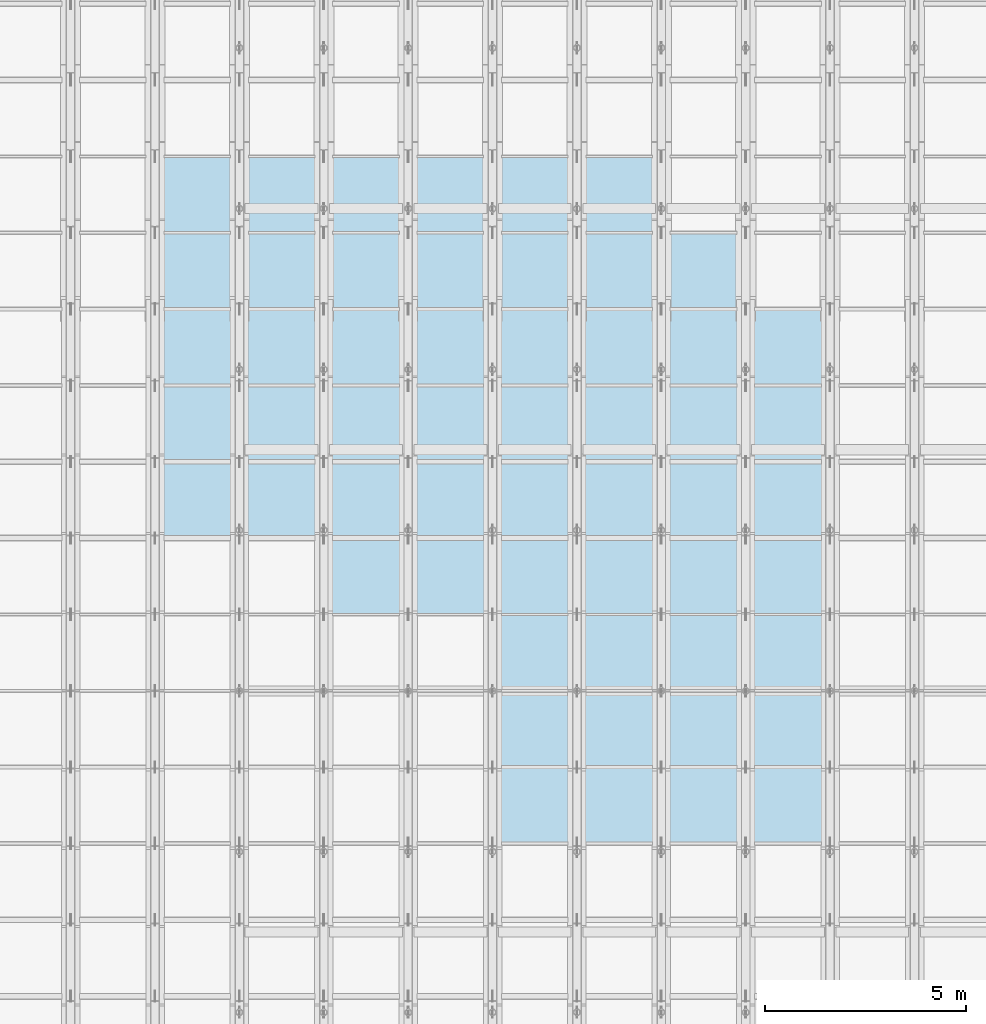
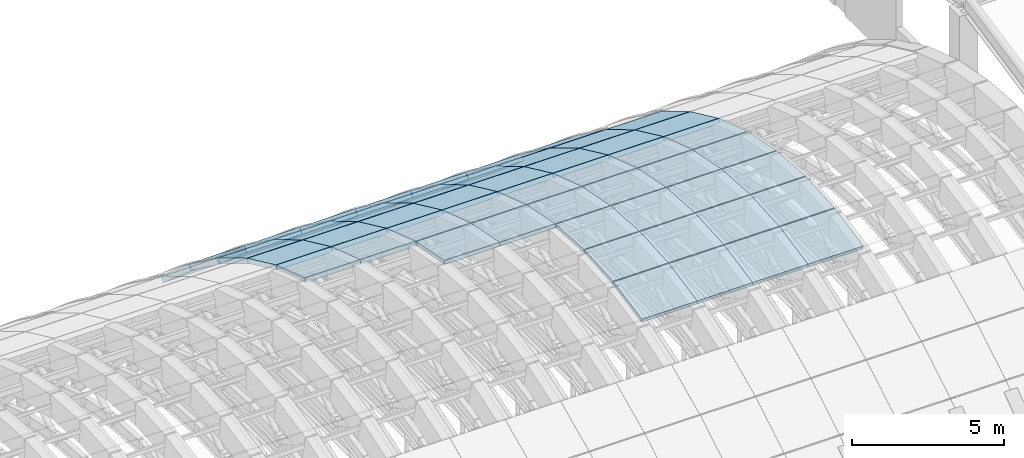
# One storey, part 54 of 67: 55 plates, 1 element without a shape of its own.
"""IFC4 building model written with IfcOpenShell, lengths in metres."""

from ifc_helpers import new_model, si_unit, direction, frame, origin, place, context, subcontext, project, spatial, polyline, outline, extrude, material, layer, layer_set, type_object, element, aggregate, save


model = new_model("IFC4")

# Units and contexts
model_context = context("Model", 3, precision=1e-05, world=origin(), true_north=direction((0.0, 1.0)))
body_context = subcontext(model_context, "Body", "Model", "MODEL_VIEW")
ifc_project = project(units=[si_unit("LENGTHUNIT", "METRE"), si_unit("AREAUNIT", "SQUARE_METRE"), si_unit("VOLUMEUNIT", "CUBIC_METRE"), si_unit("PLANEANGLEUNIT", "RADIAN"), si_unit("MASSUNIT", "GRAM", prefix="KILO")], contexts=[model_context])

# Site, building, storey
site_placement = place(None, origin())
site = spatial("IfcSite", under=ifc_project, at=site_placement, CompositionType="ELEMENT")
building_placement = place(site_placement, origin())
building = spatial("IfcBuilding", under=site, at=building_placement, Name="Shengluoqiao Park Theatre", CompositionType="ELEMENT")
storey_placement = place(building_placement, frame((0.0, 0.0, 28.60009765625)))
storey = spatial("IfcBuildingStorey", under=building, at=storey_placement, Name="Roof", CompositionType="ELEMENT", Elevation=28.60009765625)

# Roof, plates
ifc_material = material(Name="Concrete C50", Category="concrete")
roof_type = type_object("IfcRoofType", Name="STR-ROOF-BARREL", PredefinedType="BARREL_ROOF", material=ifc_material)
roof_placement = place(storey_placement, origin())
roof = element("IfcRoof", 1, at=roof_placement, inside=storey, type_object=roof_type, Name="Main Theatre Barrel-Vault Thin-Shell Roof", PredefinedType="BARREL_ROOF")
ifc_layer_1 = layer(ifc_material, 0.25, Name="Concrete C50")
ifc_layer_set_1 = layer_set([ifc_layer_1], Name="Concrete C50")
plate_type_1 = type_object("IfcPlateType", Name="STR-SHP-SP-04", PredefinedType="USERDEFINED", material=ifc_layer_set_1)
plate_1_placement = place(storey_placement, frame((61.199951171875, 106.41796875, -1.350341796875), z_axis=(0.0, 0.653002411915, 0.757355827886), x_axis=(1.0, 0.0, 0.0)))
plate_1 = element("IfcPlate", 2, at=plate_1_placement, type_object=plate_type_1, Name="Barrel-Vault Shell Panel B09-S17", ObjectType="SHELL PANEL", PredefinedType="USERDEFINED", context=body_context, shape_type="SweptSolid", body=[
    extrude(outline(polyline([(0.0, 0.0), (2.10009765625, 0.0), (2.10009765625, 2.461212554577048), (0.0, 2.461212554577048), (0.0, 0.0)])), origin(), (0.0, 0.0, -1.0), 0.25),
])
plate_2_placement = place(storey_placement, frame((63.300048828125, 106.41796875, -1.350341796875), z_axis=(0.0, 0.653002411915, 0.757355827886), x_axis=(1.0, 0.0, 0.0)))
plate_2 = element("IfcPlate", 3, at=plate_2_placement, type_object=plate_type_1, Name="Barrel-Vault Shell Panel B10-S17", ObjectType="SHELL PANEL", PredefinedType="USERDEFINED", context=body_context, shape_type="SweptSolid", body=[
    extrude(outline(polyline([(0.0, 0.0), (2.099853515625, 0.0), (2.099853515625, 2.461212554577048), (0.0, 2.461212554577048), (0.0, 0.0)])), origin(), (0.0, 0.0, -1.0), 0.25),
])
plate_3_placement = place(storey_placement, frame((65.39990234375, 106.41796875, -1.350341796875), z_axis=(0.0, 0.653002411915, 0.757355827886), x_axis=(1.0, 0.0, 0.0)))
plate_3 = element("IfcPlate", 4, at=plate_3_placement, type_object=plate_type_1, Name="Barrel-Vault Shell Panel B11-S17", ObjectType="SHELL PANEL", PredefinedType="USERDEFINED", context=body_context, shape_type="SweptSolid", body=[
    extrude(outline(polyline([(0.0, 0.0), (2.10009765625, 0.0), (2.10009765625, 2.461212554577048), (0.0, 2.461212554577048), (0.0, 0.0)])), origin(), (0.0, 0.0, -1.0), 0.25),
])
plate_4_placement = place(storey_placement, frame((67.5, 106.41796875, -1.350341796875), z_axis=(0.0, 0.653002411915, 0.757355827886), x_axis=(1.0, 0.0, 0.0)))
plate_4 = element("IfcPlate", 5, at=plate_4_placement, type_object=plate_type_1, Name="Barrel-Vault Shell Panel B12-S17", ObjectType="SHELL PANEL", PredefinedType="USERDEFINED", context=body_context, shape_type="SweptSolid", body=[
    extrude(outline(polyline([(0.0, 0.0), (2.10009765625, 0.0), (2.10009765625, 2.461212554577048), (0.0, 2.461212554577048), (0.0, 0.0)])), origin(), (0.0, 0.0, -1.0), 0.25),
])
plate_5_placement = place(storey_placement, frame((69.60009765625, 106.41796875, -1.350341796875), z_axis=(0.0, 0.653002411915, 0.757355827886), x_axis=(1.0, 0.0, 0.0)))
plate_5 = element("IfcPlate", 6, at=plate_5_placement, type_object=plate_type_1, Name="Barrel-Vault Shell Panel B13-S17", ObjectType="SHELL PANEL", PredefinedType="USERDEFINED", context=body_context, shape_type="SweptSolid", body=[
    extrude(outline(polyline([(0.0, 0.0), (2.099853515625, 0.0), (2.099853515625, 2.461212554577048), (0.0, 2.461212554577048), (0.0, 0.0)])), origin(), (0.0, 0.0, -1.0), 0.25),
])
plate_6_placement = place(storey_placement, frame((71.699951171875, 106.41796875, -1.350341796875), z_axis=(0.0, 0.653002411915, 0.757355827886), x_axis=(1.0, 0.0, 0.0)))
plate_6 = element("IfcPlate", 7, at=plate_6_placement, type_object=plate_type_1, Name="Barrel-Vault Shell Panel B14-S17", ObjectType="SHELL PANEL", PredefinedType="USERDEFINED", context=body_context, shape_type="SweptSolid", body=[
    extrude(outline(polyline([(0.0, 0.0), (2.10009765625, 0.0), (2.10009765625, 2.461212554577048), (0.0, 2.461212554577048), (0.0, 0.0)])), origin(), (0.0, 0.0, -1.0), 0.25),
])
ifc_layer_2 = layer(ifc_material, 0.219970703125, Name="Concrete C50")
ifc_layer_set_2 = layer_set([ifc_layer_2], Name="Concrete C50")
plate_type_2 = type_object("IfcPlateType", Name="STR-SHP-SP-05", PredefinedType="USERDEFINED", material=ifc_layer_set_2)
plate_7_placement = place(storey_placement, frame((61.199951171875, 104.51806640625, 0.037841796875), z_axis=(0.0, 0.589297368188, 0.807916215858), x_axis=(1.0, 0.0, 0.0)))
plate_7 = element("IfcPlate", 8, at=plate_7_placement, type_object=plate_type_2, Name="Barrel-Vault Shell Panel B09-S16", ObjectType="SHELL PANEL", PredefinedType="USERDEFINED", context=body_context, shape_type="SweptSolid", body=[
    extrude(outline(polyline([(0.0, 0.0), (2.10009765625, 0.0), (2.10009765625, 2.307186853397614), (0.0, 2.307186853397614), (0.0, 0.0)])), origin(), (0.0, 0.0, -1.0), 0.219970703125),
])
plate_8_placement = place(storey_placement, frame((63.300048828125, 104.51806640625, 0.037841796875), z_axis=(0.0, 0.589297368188, 0.807916215858), x_axis=(1.0, 0.0, 0.0)))
plate_8 = element("IfcPlate", 9, at=plate_8_placement, type_object=plate_type_2, Name="Barrel-Vault Shell Panel B10-S16", ObjectType="SHELL PANEL", PredefinedType="USERDEFINED", context=body_context, shape_type="SweptSolid", body=[
    extrude(outline(polyline([(0.0, 0.0), (2.099853515625, 0.0), (2.099853515625, 2.307186853397614), (0.0, 2.307186853397614), (0.0, 0.0)])), origin(), (0.0, 0.0, -1.0), 0.219970703125),
])
plate_9_placement = place(storey_placement, frame((65.39990234375, 104.51806640625, 0.037841796875), z_axis=(0.0, 0.589297368188, 0.807916215858), x_axis=(1.0, 0.0, 0.0)))
plate_9 = element("IfcPlate", 10, at=plate_9_placement, type_object=plate_type_2, Name="Barrel-Vault Shell Panel B11-S16", ObjectType="SHELL PANEL", PredefinedType="USERDEFINED", context=body_context, shape_type="SweptSolid", body=[
    extrude(outline(polyline([(0.0, 0.0), (2.10009765625, 0.0), (2.10009765625, 2.307186853397614), (0.0, 2.307186853397614), (0.0, 0.0)])), origin(), (0.0, 0.0, -1.0), 0.219970703125),
])
plate_10_placement = place(storey_placement, frame((67.5, 104.51806640625, 0.037841796875), z_axis=(0.0, 0.589297368188, 0.807916215858), x_axis=(1.0, 0.0, 0.0)))
plate_10 = element("IfcPlate", 11, at=plate_10_placement, type_object=plate_type_2, Name="Barrel-Vault Shell Panel B12-S16", ObjectType="SHELL PANEL", PredefinedType="USERDEFINED", context=body_context, shape_type="SweptSolid", body=[
    extrude(outline(polyline([(0.0, 0.0), (2.10009765625, 0.0), (2.10009765625, 2.307186853397614), (0.0, 2.307186853397614), (0.0, 0.0)])), origin(), (0.0, 0.0, -1.0), 0.219970703125),
])
plate_11_placement = place(storey_placement, frame((69.60009765625, 104.51806640625, 0.037841796875), z_axis=(0.0, 0.589297368188, 0.807916215858), x_axis=(1.0, 0.0, 0.0)))
plate_11 = element("IfcPlate", 12, at=plate_11_placement, type_object=plate_type_2, Name="Barrel-Vault Shell Panel B13-S16", ObjectType="SHELL PANEL", PredefinedType="USERDEFINED", context=body_context, shape_type="SweptSolid", body=[
    extrude(outline(polyline([(0.0, 0.0), (2.099853515625, 0.0), (2.099853515625, 2.307186853397614), (0.0, 2.307186853397614), (0.0, 0.0)])), origin(), (0.0, 0.0, -1.0), 0.219970703125),
])
plate_12_placement = place(storey_placement, frame((71.699951171875, 104.51806640625, 0.037841796875), z_axis=(0.0, 0.589297368188, 0.807916215858), x_axis=(1.0, 0.0, 0.0)))
plate_12 = element("IfcPlate", 13, at=plate_12_placement, type_object=plate_type_2, Name="Barrel-Vault Shell Panel B14-S16", ObjectType="SHELL PANEL", PredefinedType="USERDEFINED", context=body_context, shape_type="SweptSolid", body=[
    extrude(outline(polyline([(0.0, 0.0), (2.10009765625, 0.0), (2.10009765625, 2.307186853397614), (0.0, 2.307186853397614), (0.0, 0.0)])), origin(), (0.0, 0.0, -1.0), 0.219970703125),
])
plate_13_placement = place(storey_placement, frame((73.800048828125, 104.51806640625, 0.037841796875), z_axis=(0.0, 0.589297368188, 0.807916215858), x_axis=(1.0, 0.0, 0.0)))
plate_13 = element("IfcPlate", 14, at=plate_13_placement, type_object=plate_type_2, Name="Barrel-Vault Shell Panel B15-S16", ObjectType="SHELL PANEL", PredefinedType="USERDEFINED", context=body_context, shape_type="SweptSolid", body=[
    extrude(outline(polyline([(0.0, 0.0), (2.099853515625, 0.0), (2.099853515625, 2.307186853397614), (0.0, 2.307186853397614), (0.0, 0.0)])), origin(), (0.0, 0.0, -1.0), 0.219970703125),
])
ifc_layer_3 = layer(ifc_material, 0.199951171875, Name="Concrete C50")
ifc_layer_set_3 = layer_set([ifc_layer_3], Name="Concrete C50")
plate_type_3 = type_object("IfcPlateType", Name="STR-SHP-SP-06", PredefinedType="USERDEFINED", material=ifc_layer_set_3)
plate_14_placement = place(storey_placement, frame((61.199951171875, 102.617919921875, 1.17431640625), z_axis=(0.0, 0.512509675023, 0.858681450253), x_axis=(1.0, 0.0, 0.0)))
plate_14 = element("IfcPlate", 15, at=plate_14_placement, type_object=plate_type_3, Name="Barrel-Vault Shell Panel B09-S15", ObjectType="SHELL PANEL", PredefinedType="USERDEFINED", context=body_context, shape_type="SweptSolid", body=[
    extrude(outline(polyline([(0.0, 0.0), (2.10009765625, 0.0), (2.10009765625, 2.1707860014057654), (0.0, 2.1707860014057654), (0.0, 0.0)])), origin(), (0.0, 0.0, -1.0), 0.199951171875),
])
plate_15_placement = place(storey_placement, frame((63.300048828125, 102.617919921875, 1.17431640625), z_axis=(0.0, 0.512509675023, 0.858681450253), x_axis=(1.0, 0.0, 0.0)))
plate_15 = element("IfcPlate", 16, at=plate_15_placement, type_object=plate_type_3, Name="Barrel-Vault Shell Panel B10-S15", ObjectType="SHELL PANEL", PredefinedType="USERDEFINED", context=body_context, shape_type="SweptSolid", body=[
    extrude(outline(polyline([(0.0, 0.0), (2.099853515625, 0.0), (2.099853515625, 2.1707860014057654), (0.0, 2.1707860014057654), (0.0, 0.0)])), origin(), (0.0, 0.0, -1.0), 0.199951171875),
])
plate_16_placement = place(storey_placement, frame((65.39990234375, 102.617919921875, 1.17431640625), z_axis=(0.0, 0.512509675023, 0.858681450253), x_axis=(1.0, 0.0, 0.0)))
plate_16 = element("IfcPlate", 17, at=plate_16_placement, type_object=plate_type_3, Name="Barrel-Vault Shell Panel B11-S15", ObjectType="SHELL PANEL", PredefinedType="USERDEFINED", context=body_context, shape_type="SweptSolid", body=[
    extrude(outline(polyline([(0.0, 0.0), (2.10009765625, 0.0), (2.10009765625, 2.1707860014057654), (0.0, 2.1707860014057654), (0.0, 0.0)])), origin(), (0.0, 0.0, -1.0), 0.199951171875),
])
plate_17_placement = place(storey_placement, frame((67.5, 102.617919921875, 1.17431640625), z_axis=(0.0, 0.512509675023, 0.858681450253), x_axis=(1.0, 0.0, 0.0)))
plate_17 = element("IfcPlate", 18, at=plate_17_placement, type_object=plate_type_3, Name="Barrel-Vault Shell Panel B12-S15", ObjectType="SHELL PANEL", PredefinedType="USERDEFINED", context=body_context, shape_type="SweptSolid", body=[
    extrude(outline(polyline([(0.0, 0.0), (2.10009765625, 0.0), (2.10009765625, 2.1707860014057654), (0.0, 2.1707860014057654), (0.0, 0.0)])), origin(), (0.0, 0.0, -1.0), 0.199951171875),
])
plate_18_placement = place(storey_placement, frame((69.60009765625, 102.617919921875, 1.17431640625), z_axis=(0.0, 0.512509675023, 0.858681450253), x_axis=(1.0, 0.0, 0.0)))
plate_18 = element("IfcPlate", 19, at=plate_18_placement, type_object=plate_type_3, Name="Barrel-Vault Shell Panel B13-S15", ObjectType="SHELL PANEL", PredefinedType="USERDEFINED", context=body_context, shape_type="SweptSolid", body=[
    extrude(outline(polyline([(0.0, 0.0), (2.099853515625, 0.0), (2.099853515625, 2.1707860014057654), (0.0, 2.1707860014057654), (0.0, 0.0)])), origin(), (0.0, 0.0, -1.0), 0.199951171875),
])
plate_19_placement = place(storey_placement, frame((71.699951171875, 102.617919921875, 1.17431640625), z_axis=(0.0, 0.512509675023, 0.858681450253), x_axis=(1.0, 0.0, 0.0)))
plate_19 = element("IfcPlate", 20, at=plate_19_placement, type_object=plate_type_3, Name="Barrel-Vault Shell Panel B14-S15", ObjectType="SHELL PANEL", PredefinedType="USERDEFINED", context=body_context, shape_type="SweptSolid", body=[
    extrude(outline(polyline([(0.0, 0.0), (2.10009765625, 0.0), (2.10009765625, 2.1707860014057654), (0.0, 2.1707860014057654), (0.0, 0.0)])), origin(), (0.0, 0.0, -1.0), 0.199951171875),
])
plate_20_placement = place(storey_placement, frame((73.800048828125, 102.617919921875, 1.17431640625), z_axis=(0.0, 0.512509675023, 0.858681450253), x_axis=(1.0, 0.0, 0.0)))
plate_20 = element("IfcPlate", 21, at=plate_20_placement, type_object=plate_type_3, Name="Barrel-Vault Shell Panel B15-S15", ObjectType="SHELL PANEL", PredefinedType="USERDEFINED", context=body_context, shape_type="SweptSolid", body=[
    extrude(outline(polyline([(0.0, 0.0), (2.099853515625, 0.0), (2.099853515625, 2.1707860014057654), (0.0, 2.1707860014057654), (0.0, 0.0)])), origin(), (0.0, 0.0, -1.0), 0.199951171875),
])
plate_21_placement = place(storey_placement, frame((75.89990234375, 102.617919921875, 1.17431640625), z_axis=(0.0, 0.512509675023, 0.858681450253), x_axis=(1.0, 0.0, 0.0)))
plate_21 = element("IfcPlate", 22, at=plate_21_placement, type_object=plate_type_3, Name="Barrel-Vault Shell Panel B16-S15", ObjectType="SHELL PANEL", PredefinedType="USERDEFINED", context=body_context, shape_type="SweptSolid", body=[
    extrude(outline(polyline([(0.0, 0.0), (2.10009765625, 0.0), (2.10009765625, 2.1707860014057654), (0.0, 2.1707860014057654), (0.0, 0.0)])), origin(), (0.0, 0.0, -1.0), 0.199951171875),
])
ifc_layer_4 = layer(ifc_material, 0.179931640625, Name="Concrete C50")
ifc_layer_set_4 = layer_set([ifc_layer_4], Name="Concrete C50")
plate_type_4 = type_object("IfcPlateType", Name="STR-SHP-SP-07", PredefinedType="USERDEFINED", material=ifc_layer_set_4)
plate_22_placement = place(storey_placement, frame((61.199951171875, 100.718017578125, 2.058837890625), z_axis=(0.0, 0.421128757918, 0.907000865079), x_axis=(1.0, 0.0, 0.0)))
plate_22 = element("IfcPlate", 23, at=plate_22_placement, type_object=plate_type_4, Name="Barrel-Vault Shell Panel B09-S14", ObjectType="SHELL PANEL", PredefinedType="USERDEFINED", context=body_context, shape_type="SweptSolid", body=[
    extrude(outline(polyline([(0.0, 0.0), (2.10009765625, 0.0), (2.10009765625, 2.0551399051999777), (0.0, 2.0551399051999777), (0.0, 0.0)])), origin(), (0.0, 0.0, -1.0), 0.179931640625),
])
plate_23_placement = place(storey_placement, frame((63.300048828125, 100.718017578125, 2.058837890625), z_axis=(0.0, 0.421128757918, 0.907000865079), x_axis=(1.0, 0.0, 0.0)))
plate_23 = element("IfcPlate", 24, at=plate_23_placement, type_object=plate_type_4, Name="Barrel-Vault Shell Panel B10-S14", ObjectType="SHELL PANEL", PredefinedType="USERDEFINED", context=body_context, shape_type="SweptSolid", body=[
    extrude(outline(polyline([(0.0, 0.0), (2.099853515625, 0.0), (2.099853515625, 2.055139905199978), (0.0, 2.055139905199978), (0.0, 0.0)])), origin(), (0.0, 0.0, -1.0), 0.179931640625),
])
plate_24_placement = place(storey_placement, frame((65.39990234375, 100.718017578125, 2.058837890625), z_axis=(0.0, 0.421128757918, 0.907000865079), x_axis=(1.0, 0.0, 0.0)))
plate_24 = element("IfcPlate", 25, at=plate_24_placement, type_object=plate_type_4, Name="Barrel-Vault Shell Panel B11-S14", ObjectType="SHELL PANEL", PredefinedType="USERDEFINED", context=body_context, shape_type="SweptSolid", body=[
    extrude(outline(polyline([(0.0, 0.0), (2.10009765625, 0.0), (2.10009765625, 2.0551399051999777), (0.0, 2.0551399051999777), (0.0, 0.0)])), origin(), (0.0, 0.0, -1.0), 0.179931640625),
])
plate_25_placement = place(storey_placement, frame((67.5, 100.718017578125, 2.058837890625), z_axis=(0.0, 0.421128757918, 0.907000865079), x_axis=(1.0, 0.0, 0.0)))
plate_25 = element("IfcPlate", 26, at=plate_25_placement, type_object=plate_type_4, Name="Barrel-Vault Shell Panel B12-S14", ObjectType="SHELL PANEL", PredefinedType="USERDEFINED", context=body_context, shape_type="SweptSolid", body=[
    extrude(outline(polyline([(0.0, 0.0), (2.10009765625, 0.0), (2.10009765625, 2.0551399051999777), (0.0, 2.0551399051999777), (0.0, 0.0)])), origin(), (0.0, 0.0, -1.0), 0.179931640625),
])
plate_26_placement = place(storey_placement, frame((69.60009765625, 100.718017578125, 2.058837890625), z_axis=(0.0, 0.421128757918, 0.907000865079), x_axis=(1.0, 0.0, 0.0)))
plate_26 = element("IfcPlate", 27, at=plate_26_placement, type_object=plate_type_4, Name="Barrel-Vault Shell Panel B13-S14", ObjectType="SHELL PANEL", PredefinedType="USERDEFINED", context=body_context, shape_type="SweptSolid", body=[
    extrude(outline(polyline([(0.0, 0.0), (2.099853515625, 0.0), (2.099853515625, 2.055139905199978), (0.0, 2.055139905199978), (0.0, 0.0)])), origin(), (0.0, 0.0, -1.0), 0.179931640625),
])
plate_27_placement = place(storey_placement, frame((71.699951171875, 100.718017578125, 2.058837890625), z_axis=(0.0, 0.421128757918, 0.907000865079), x_axis=(1.0, 0.0, 0.0)))
plate_27 = element("IfcPlate", 28, at=plate_27_placement, type_object=plate_type_4, Name="Barrel-Vault Shell Panel B14-S14", ObjectType="SHELL PANEL", PredefinedType="USERDEFINED", context=body_context, shape_type="SweptSolid", body=[
    extrude(outline(polyline([(0.0, 0.0), (2.10009765625, 0.0), (2.10009765625, 2.0551399051999777), (0.0, 2.0551399051999777), (0.0, 0.0)])), origin(), (0.0, 0.0, -1.0), 0.179931640625),
])
plate_28_placement = place(storey_placement, frame((73.800048828125, 100.718017578125, 2.058837890625), z_axis=(0.0, 0.421128757918, 0.907000865079), x_axis=(1.0, 0.0, 0.0)))
plate_28 = element("IfcPlate", 29, at=plate_28_placement, type_object=plate_type_4, Name="Barrel-Vault Shell Panel B15-S14", ObjectType="SHELL PANEL", PredefinedType="USERDEFINED", context=body_context, shape_type="SweptSolid", body=[
    extrude(outline(polyline([(0.0, 0.0), (2.099853515625, 0.0), (2.099853515625, 2.055139905199978), (0.0, 2.055139905199978), (0.0, 0.0)])), origin(), (0.0, 0.0, -1.0), 0.179931640625),
])
plate_29_placement = place(storey_placement, frame((75.89990234375, 100.718017578125, 2.058837890625), z_axis=(0.0, 0.421128757918, 0.907000865079), x_axis=(1.0, 0.0, 0.0)))
plate_29 = element("IfcPlate", 30, at=plate_29_placement, type_object=plate_type_4, Name="Barrel-Vault Shell Panel B16-S14", ObjectType="SHELL PANEL", PredefinedType="USERDEFINED", context=body_context, shape_type="SweptSolid", body=[
    extrude(outline(polyline([(0.0, 0.0), (2.10009765625, 0.0), (2.10009765625, 2.0551399051999777), (0.0, 2.0551399051999777), (0.0, 0.0)])), origin(), (0.0, 0.0, -1.0), 0.179931640625),
])
ifc_layer_5 = layer(ifc_material, 0.169921875, Name="Concrete C50")
ifc_layer_set_5 = layer_set([ifc_layer_5], Name="Concrete C50")
plate_type_5 = type_object("IfcPlateType", Name="STR-SHP-SP-08", PredefinedType="USERDEFINED", material=ifc_layer_set_5)
plate_30_placement = place(storey_placement, frame((61.199951171875, 98.818115234375, 2.691162109375), z_axis=(0.0, 0.314810021978, 0.949154702913), x_axis=(1.0, 0.0, 0.0)))
plate_30 = element("IfcPlate", 31, at=plate_30_placement, type_object=plate_type_5, Name="Barrel-Vault Shell Panel B09-S13", ObjectType="SHELL PANEL", PredefinedType="USERDEFINED", context=body_context, shape_type="SweptSolid", body=[
    extrude(outline(polyline([(0.0, 0.0), (2.10009765625, 0.0), (2.10009765625, 1.9636098578338692), (0.0, 1.9636098578338692), (0.0, 0.0)])), origin(), (0.0, 0.0, -1.0), 0.169921875),
])
plate_31_placement = place(storey_placement, frame((63.300048828125, 98.818115234375, 2.691162109375), z_axis=(0.0, 0.314810021978, 0.949154702913), x_axis=(1.0, 0.0, 0.0)))
plate_31 = element("IfcPlate", 32, at=plate_31_placement, type_object=plate_type_5, Name="Barrel-Vault Shell Panel B10-S13", ObjectType="SHELL PANEL", PredefinedType="USERDEFINED", context=body_context, shape_type="SweptSolid", body=[
    extrude(outline(polyline([(0.0, 0.0), (2.099853515625, 0.0), (2.099853515625, 1.9636098578338692), (0.0, 1.9636098578338692), (0.0, 0.0)])), origin(), (0.0, 0.0, -1.0), 0.169921875),
])
plate_32_placement = place(storey_placement, frame((65.39990234375, 98.818115234375, 2.691162109375), z_axis=(0.0, 0.314810021978, 0.949154702913), x_axis=(1.0, 0.0, 0.0)))
plate_32 = element("IfcPlate", 33, at=plate_32_placement, type_object=plate_type_5, Name="Barrel-Vault Shell Panel B11-S13", ObjectType="SHELL PANEL", PredefinedType="USERDEFINED", context=body_context, shape_type="SweptSolid", body=[
    extrude(outline(polyline([(0.0, 0.0), (2.10009765625, 0.0), (2.10009765625, 1.9636098578338692), (0.0, 1.9636098578338692), (0.0, 0.0)])), origin(), (0.0, 0.0, -1.0), 0.169921875),
])
plate_33_placement = place(storey_placement, frame((67.5, 98.818115234375, 2.691162109375), z_axis=(0.0, 0.314810021978, 0.949154702913), x_axis=(1.0, 0.0, 0.0)))
plate_33 = element("IfcPlate", 34, at=plate_33_placement, type_object=plate_type_5, Name="Barrel-Vault Shell Panel B12-S13", ObjectType="SHELL PANEL", PredefinedType="USERDEFINED", context=body_context, shape_type="SweptSolid", body=[
    extrude(outline(polyline([(0.0, 0.0), (2.10009765625, 0.0), (2.10009765625, 1.9636098578338692), (0.0, 1.9636098578338692), (0.0, 0.0)])), origin(), (0.0, 0.0, -1.0), 0.169921875),
])
plate_34_placement = place(storey_placement, frame((69.60009765625, 98.818115234375, 2.691162109375), z_axis=(0.0, 0.314810021978, 0.949154702913), x_axis=(1.0, 0.0, 0.0)))
plate_34 = element("IfcPlate", 35, at=plate_34_placement, type_object=plate_type_5, Name="Barrel-Vault Shell Panel B13-S13", ObjectType="SHELL PANEL", PredefinedType="USERDEFINED", context=body_context, shape_type="SweptSolid", body=[
    extrude(outline(polyline([(0.0, 0.0), (2.099853515625, 0.0), (2.099853515625, 1.9636098578338692), (0.0, 1.9636098578338692), (0.0, 0.0)])), origin(), (0.0, 0.0, -1.0), 0.169921875),
])
plate_35_placement = place(storey_placement, frame((71.699951171875, 98.818115234375, 2.691162109375), z_axis=(0.0, 0.314810021978, 0.949154702913), x_axis=(1.0, 0.0, 0.0)))
plate_35 = element("IfcPlate", 36, at=plate_35_placement, type_object=plate_type_5, Name="Barrel-Vault Shell Panel B14-S13", ObjectType="SHELL PANEL", PredefinedType="USERDEFINED", context=body_context, shape_type="SweptSolid", body=[
    extrude(outline(polyline([(0.0, 0.0), (2.10009765625, 0.0), (2.10009765625, 1.9636098578338692), (0.0, 1.9636098578338692), (0.0, 0.0)])), origin(), (0.0, 0.0, -1.0), 0.169921875),
])
plate_36_placement = place(storey_placement, frame((73.800048828125, 98.818115234375, 2.691162109375), z_axis=(0.0, 0.314810021978, 0.949154702913), x_axis=(1.0, 0.0, 0.0)))
plate_36 = element("IfcPlate", 37, at=plate_36_placement, type_object=plate_type_5, Name="Barrel-Vault Shell Panel B15-S13", ObjectType="SHELL PANEL", PredefinedType="USERDEFINED", context=body_context, shape_type="SweptSolid", body=[
    extrude(outline(polyline([(0.0, 0.0), (2.099853515625, 0.0), (2.099853515625, 1.9636098578338692), (0.0, 1.9636098578338692), (0.0, 0.0)])), origin(), (0.0, 0.0, -1.0), 0.169921875),
])
plate_37_placement = place(storey_placement, frame((75.89990234375, 98.818115234375, 2.691162109375), z_axis=(0.0, 0.314810021978, 0.949154702913), x_axis=(1.0, 0.0, 0.0)))
plate_37 = element("IfcPlate", 38, at=plate_37_placement, type_object=plate_type_5, Name="Barrel-Vault Shell Panel B16-S13", ObjectType="SHELL PANEL", PredefinedType="USERDEFINED", context=body_context, shape_type="SweptSolid", body=[
    extrude(outline(polyline([(0.0, 0.0), (2.10009765625, 0.0), (2.10009765625, 1.9636098578338692), (0.0, 1.9636098578338692), (0.0, 0.0)])), origin(), (0.0, 0.0, -1.0), 0.169921875),
])
ifc_layer_6 = layer(ifc_material, 0.14990234375, Name="Concrete C50")
ifc_layer_set_6 = layer_set([ifc_layer_6], Name="Concrete C50")
plate_type_6 = type_object("IfcPlateType", Name="STR-SHP-SP-09", PredefinedType="USERDEFINED", material=ifc_layer_set_6)
plate_38_placement = place(storey_placement, frame((65.39990234375, 96.91796875, 3.071533203125), z_axis=(0.0, 0.195127896118, 0.980777805701), x_axis=(1.0, 0.0, 0.0)))
plate_38 = element("IfcPlate", 39, at=plate_38_placement, type_object=plate_type_6, Name="Barrel-Vault Shell Panel B11-S12", ObjectType="SHELL PANEL", PredefinedType="USERDEFINED", context=body_context, shape_type="SweptSolid", body=[
    extrude(outline(polyline([(0.0, 0.0), (2.10009765625, 0.0), (2.10009765625, 1.9005463429526022), (0.0, 1.9005463429526022), (0.0, 0.0)])), origin(), (0.0, 0.0, -1.0), 0.14990234375),
])
plate_39_placement = place(storey_placement, frame((67.5, 96.91796875, 3.071533203125), z_axis=(0.0, 0.195127896118, 0.980777805701), x_axis=(1.0, 0.0, 0.0)))
plate_39 = element("IfcPlate", 40, at=plate_39_placement, type_object=plate_type_6, Name="Barrel-Vault Shell Panel B12-S12", ObjectType="SHELL PANEL", PredefinedType="USERDEFINED", context=body_context, shape_type="SweptSolid", body=[
    extrude(outline(polyline([(0.0, 0.0), (2.10009765625, 0.0), (2.10009765625, 1.9005463429526022), (0.0, 1.9005463429526022), (0.0, 0.0)])), origin(), (0.0, 0.0, -1.0), 0.14990234375),
])
plate_40_placement = place(storey_placement, frame((69.60009765625, 91.218017578125, 2.70068359375), z_axis=(0.0, -0.195127896118, 0.980777805701), x_axis=(1.0, 0.0, 0.0)))
plate_40 = element("IfcPlate", 41, at=plate_40_placement, type_object=plate_type_6, Name="Barrel-Vault Shell Panel B13-S09", ObjectType="SHELL PANEL", PredefinedType="USERDEFINED", context=body_context, shape_type="SweptSolid", body=[
    extrude(outline(polyline([(0.0, 0.0), (2.099853515625, 0.0), (2.099853515625, 1.9005463429526024), (0.0, 1.9005463429526024), (0.0, 0.0)])), origin(), (0.0, 0.0, -1.0), 0.14990234375),
])
plate_41_placement = place(storey_placement, frame((69.60009765625, 96.91796875, 3.071533203125), z_axis=(0.0, 0.195127896118, 0.980777805701), x_axis=(1.0, 0.0, 0.0)))
plate_41 = element("IfcPlate", 42, at=plate_41_placement, type_object=plate_type_6, Name="Barrel-Vault Shell Panel B13-S12", ObjectType="SHELL PANEL", PredefinedType="USERDEFINED", context=body_context, shape_type="SweptSolid", body=[
    extrude(outline(polyline([(0.0, 0.0), (2.099853515625, 0.0), (2.099853515625, 1.9005463429526024), (0.0, 1.9005463429526024), (0.0, 0.0)])), origin(), (0.0, 0.0, -1.0), 0.14990234375),
])
plate_42_placement = place(storey_placement, frame((71.699951171875, 91.218017578125, 2.70068359375), z_axis=(0.0, -0.195127896118, 0.980777805701), x_axis=(1.0, 0.0, 0.0)))
plate_42 = element("IfcPlate", 43, at=plate_42_placement, type_object=plate_type_6, Name="Barrel-Vault Shell Panel B14-S09", ObjectType="SHELL PANEL", PredefinedType="USERDEFINED", context=body_context, shape_type="SweptSolid", body=[
    extrude(outline(polyline([(0.0, 0.0), (2.10009765625, 0.0), (2.10009765625, 1.9005463429526022), (0.0, 1.9005463429526022), (0.0, 0.0)])), origin(), (0.0, 0.0, -1.0), 0.14990234375),
])
plate_43_placement = place(storey_placement, frame((71.699951171875, 96.91796875, 3.071533203125), z_axis=(0.0, 0.195127896118, 0.980777805701), x_axis=(1.0, 0.0, 0.0)))
plate_43 = element("IfcPlate", 44, at=plate_43_placement, type_object=plate_type_6, Name="Barrel-Vault Shell Panel B14-S12", ObjectType="SHELL PANEL", PredefinedType="USERDEFINED", context=body_context, shape_type="SweptSolid", body=[
    extrude(outline(polyline([(0.0, 0.0), (2.10009765625, 0.0), (2.10009765625, 1.9005463429526022), (0.0, 1.9005463429526022), (0.0, 0.0)])), origin(), (0.0, 0.0, -1.0), 0.14990234375),
])
plate_44_placement = place(storey_placement, frame((73.800048828125, 91.218017578125, 2.70068359375), z_axis=(0.0, -0.195127896118, 0.980777805701), x_axis=(1.0, 0.0, 0.0)))
plate_44 = element("IfcPlate", 45, at=plate_44_placement, type_object=plate_type_6, Name="Barrel-Vault Shell Panel B15-S09", ObjectType="SHELL PANEL", PredefinedType="USERDEFINED", context=body_context, shape_type="SweptSolid", body=[
    extrude(outline(polyline([(0.0, 0.0), (2.099853515625, 0.0), (2.099853515625, 1.9005463429526024), (0.0, 1.9005463429526024), (0.0, 0.0)])), origin(), (0.0, 0.0, -1.0), 0.14990234375),
])
plate_45_placement = place(storey_placement, frame((73.800048828125, 96.91796875, 3.071533203125), z_axis=(0.0, 0.195127896118, 0.980777805701), x_axis=(1.0, 0.0, 0.0)))
plate_45 = element("IfcPlate", 46, at=plate_45_placement, type_object=plate_type_6, Name="Barrel-Vault Shell Panel B15-S12", ObjectType="SHELL PANEL", PredefinedType="USERDEFINED", context=body_context, shape_type="SweptSolid", body=[
    extrude(outline(polyline([(0.0, 0.0), (2.099853515625, 0.0), (2.099853515625, 1.9005463429526024), (0.0, 1.9005463429526024), (0.0, 0.0)])), origin(), (0.0, 0.0, -1.0), 0.14990234375),
])
plate_46_placement = place(storey_placement, frame((75.89990234375, 91.218017578125, 2.70068359375), z_axis=(0.0, -0.195127896118, 0.980777805701), x_axis=(1.0, 0.0, 0.0)))
plate_46 = element("IfcPlate", 47, at=plate_46_placement, type_object=plate_type_6, Name="Barrel-Vault Shell Panel B16-S09", ObjectType="SHELL PANEL", PredefinedType="USERDEFINED", context=body_context, shape_type="SweptSolid", body=[
    extrude(outline(polyline([(0.0, 0.0), (2.10009765625, 0.0), (2.10009765625, 1.9005463429526022), (0.0, 1.9005463429526022), (0.0, 0.0)])), origin(), (0.0, 0.0, -1.0), 0.14990234375),
])
plate_47_placement = place(storey_placement, frame((75.89990234375, 96.91796875, 3.071533203125), z_axis=(0.0, 0.195127896118, 0.980777805701), x_axis=(1.0, 0.0, 0.0)))
plate_47 = element("IfcPlate", 48, at=plate_47_placement, type_object=plate_type_6, Name="Barrel-Vault Shell Panel B16-S12", ObjectType="SHELL PANEL", PredefinedType="USERDEFINED", context=body_context, shape_type="SweptSolid", body=[
    extrude(outline(polyline([(0.0, 0.0), (2.10009765625, 0.0), (2.10009765625, 1.9005463429526022), (0.0, 1.9005463429526022), (0.0, 0.0)])), origin(), (0.0, 0.0, -1.0), 0.14990234375),
])
ifc_layer_7 = layer(ifc_material, 0.139892578125, Name="Concrete C50")
ifc_layer_set_7 = layer_set([ifc_layer_7], Name="Concrete C50")
plate_type_7 = type_object("IfcPlateType", Name="STR-SHP-SP-10", PredefinedType="USERDEFINED", material=ifc_layer_set_7)
plate_48_placement = place(storey_placement, frame((69.60009765625, 93.117919921875, 3.076171875), z_axis=(0.0, -0.066258788899, 0.997802471882), x_axis=(1.0, 0.0, 0.0)))
plate_48 = element("IfcPlate", 49, at=plate_48_placement, type_object=plate_type_7, Name="Barrel-Vault Shell Panel B13-S10", ObjectType="SHELL PANEL", PredefinedType="USERDEFINED", context=body_context, shape_type="SweptSolid", body=[
    extrude(outline(polyline([(0.0, 0.0), (2.099853515625, 0.0), (2.099853515625, 1.8681189157202465), (0.0, 1.8681189157202465), (0.0, 0.0)])), origin(), (0.0, 0.0, -1.0), 0.139892578125),
])
plate_49_placement = place(storey_placement, frame((69.60009765625, 95.01806640625, 3.199951171875), z_axis=(0.0, 0.066258788899, 0.997802471882), x_axis=(1.0, 0.0, 0.0)))
plate_49 = element("IfcPlate", 50, at=plate_49_placement, type_object=plate_type_7, Name="Barrel-Vault Shell Panel B13-S11", ObjectType="SHELL PANEL", PredefinedType="USERDEFINED", context=body_context, shape_type="SweptSolid", body=[
    extrude(outline(polyline([(0.0, 0.0), (2.099853515625, 0.0), (2.099853515625, 1.8681189157202465), (0.0, 1.8681189157202465), (0.0, 0.0)])), origin(), (0.0, 0.0, -1.0), 0.139892578125),
])
plate_50_placement = place(storey_placement, frame((71.699951171875, 93.117919921875, 3.076171875), z_axis=(0.0, -0.066258788899, 0.997802471882), x_axis=(1.0, 0.0, 0.0)))
plate_50 = element("IfcPlate", 51, at=plate_50_placement, type_object=plate_type_7, Name="Barrel-Vault Shell Panel B14-S10", ObjectType="SHELL PANEL", PredefinedType="USERDEFINED", context=body_context, shape_type="SweptSolid", body=[
    extrude(outline(polyline([(0.0, 0.0), (2.10009765625, 0.0), (2.10009765625, 1.8681189157202462), (0.0, 1.8681189157202462), (0.0, 0.0)])), origin(), (0.0, 0.0, -1.0), 0.139892578125),
])
plate_51_placement = place(storey_placement, frame((71.699951171875, 95.01806640625, 3.199951171875), z_axis=(0.0, 0.066258788899, 0.997802471882), x_axis=(1.0, 0.0, 0.0)))
plate_51 = element("IfcPlate", 52, at=plate_51_placement, type_object=plate_type_7, Name="Barrel-Vault Shell Panel B14-S11", ObjectType="SHELL PANEL", PredefinedType="USERDEFINED", context=body_context, shape_type="SweptSolid", body=[
    extrude(outline(polyline([(0.0, 0.0), (2.10009765625, 0.0), (2.10009765625, 1.8681189157202462), (0.0, 1.8681189157202462), (0.0, 0.0)])), origin(), (0.0, 0.0, -1.0), 0.139892578125),
])
plate_52_placement = place(storey_placement, frame((73.800048828125, 93.117919921875, 3.076171875), z_axis=(0.0, -0.066258788899, 0.997802471882), x_axis=(1.0, 0.0, 0.0)))
plate_52 = element("IfcPlate", 53, at=plate_52_placement, type_object=plate_type_7, Name="Barrel-Vault Shell Panel B15-S10", ObjectType="SHELL PANEL", PredefinedType="USERDEFINED", context=body_context, shape_type="SweptSolid", body=[
    extrude(outline(polyline([(0.0, 0.0), (2.099853515625, 0.0), (2.099853515625, 1.8681189157202465), (0.0, 1.8681189157202465), (0.0, 0.0)])), origin(), (0.0, 0.0, -1.0), 0.139892578125),
])
plate_53_placement = place(storey_placement, frame((73.800048828125, 95.01806640625, 3.199951171875), z_axis=(0.0, 0.066258788899, 0.997802471882), x_axis=(1.0, 0.0, 0.0)))
plate_53 = element("IfcPlate", 54, at=plate_53_placement, type_object=plate_type_7, Name="Barrel-Vault Shell Panel B15-S11", ObjectType="SHELL PANEL", PredefinedType="USERDEFINED", context=body_context, shape_type="SweptSolid", body=[
    extrude(outline(polyline([(0.0, 0.0), (2.099853515625, 0.0), (2.099853515625, 1.8681189157202465), (0.0, 1.8681189157202465), (0.0, 0.0)])), origin(), (0.0, 0.0, -1.0), 0.139892578125),
])
plate_54_placement = place(storey_placement, frame((75.89990234375, 93.117919921875, 3.076171875), z_axis=(0.0, -0.066258788899, 0.997802471882), x_axis=(1.0, 0.0, 0.0)))
plate_54 = element("IfcPlate", 55, at=plate_54_placement, type_object=plate_type_7, Name="Barrel-Vault Shell Panel B16-S10", ObjectType="SHELL PANEL", PredefinedType="USERDEFINED", context=body_context, shape_type="SweptSolid", body=[
    extrude(outline(polyline([(0.0, 0.0), (2.10009765625, 0.0), (2.10009765625, 1.8681189157202462), (0.0, 1.8681189157202462), (0.0, 0.0)])), origin(), (0.0, 0.0, -1.0), 0.139892578125),
])
plate_55_placement = place(storey_placement, frame((75.89990234375, 95.01806640625, 3.199951171875), z_axis=(0.0, 0.066258788899, 0.997802471882), x_axis=(1.0, 0.0, 0.0)))
plate_55 = element("IfcPlate", 56, at=plate_55_placement, type_object=plate_type_7, Name="Barrel-Vault Shell Panel B16-S11", ObjectType="SHELL PANEL", PredefinedType="USERDEFINED", context=body_context, shape_type="SweptSolid", body=[
    extrude(outline(polyline([(0.0, 0.0), (2.10009765625, 0.0), (2.10009765625, 1.8681189157202462), (0.0, 1.8681189157202462), (0.0, 0.0)])), origin(), (0.0, 0.0, -1.0), 0.139892578125),
])
aggregate(roof, [plate_30, plate_22, plate_14, plate_7, plate_1, plate_31, plate_23, plate_15, plate_8, plate_2, plate_38, plate_32, plate_24, plate_16, plate_9, plate_3, plate_39, plate_33, plate_25, plate_17, plate_10, plate_4, plate_40, plate_48, plate_49, plate_41, plate_34, plate_26, plate_18, plate_11, plate_5, plate_42, plate_50, plate_51, plate_43, plate_35, plate_27, plate_19, plate_12, plate_6, plate_44, plate_52, plate_53, plate_45, plate_36, plate_28, plate_20, plate_13, plate_46, plate_54, plate_55, plate_47, plate_37, plate_29, plate_21])

save(model, "model.ifc")
